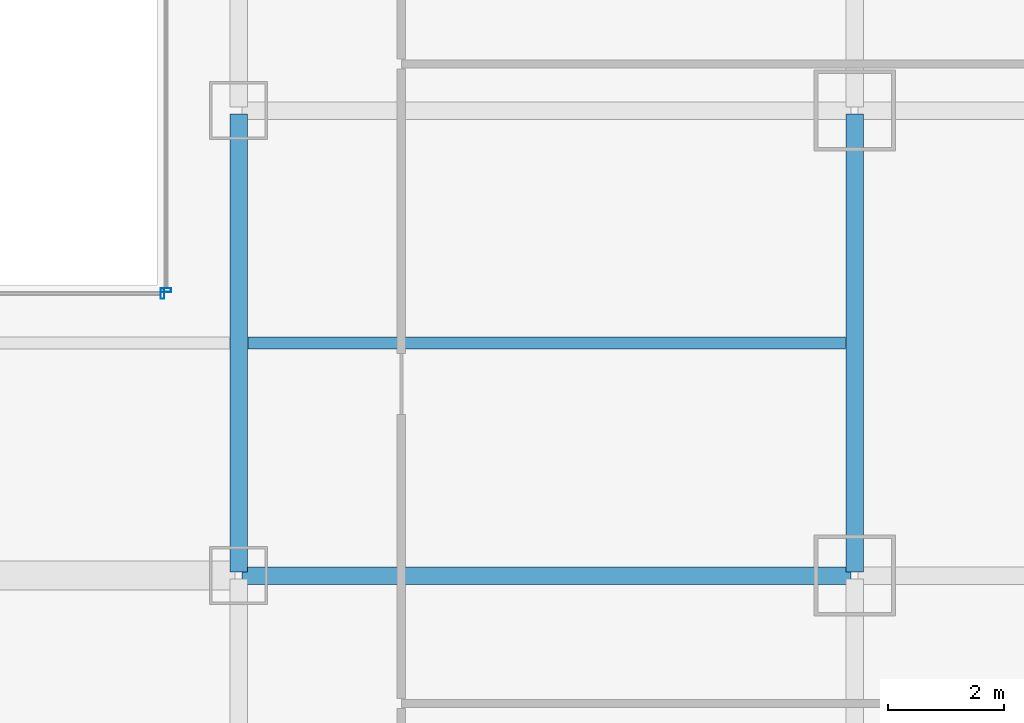
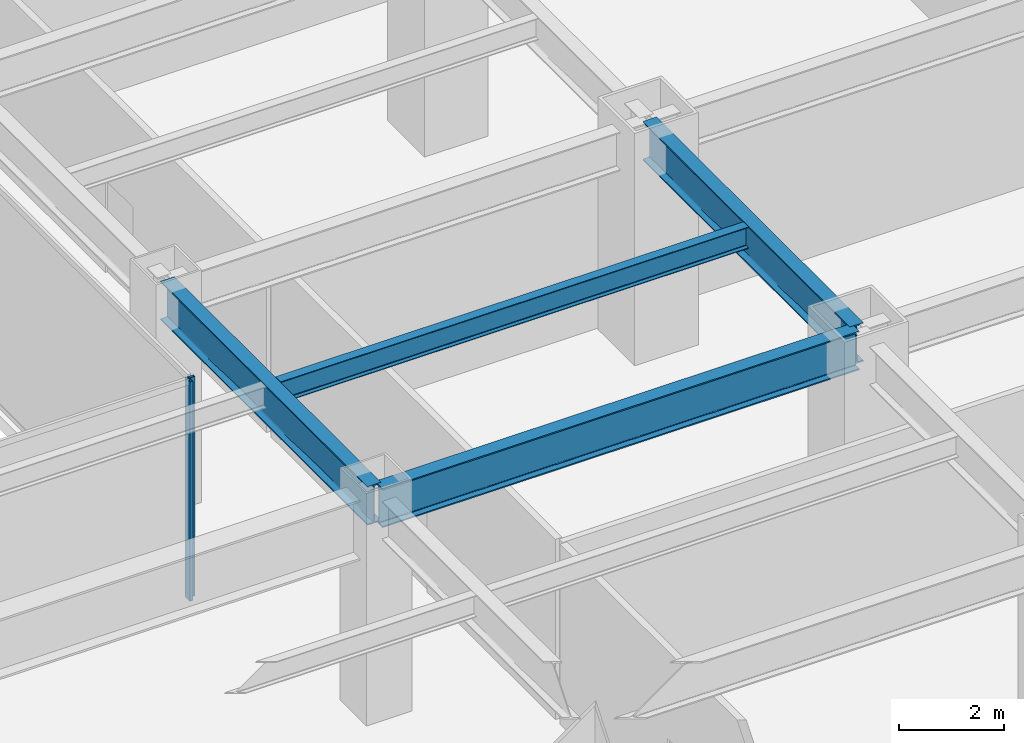
# One storey, part 19 of 52: 4 beams, 2 members, 2 elements without a shape of their own.
"""IFC4 building model written with IfcOpenShell, lengths in metres."""

import ifcopenshell
import ifcopenshell.guid

model = None  # the IFC model being written
_history = None  # IfcOwnerHistory: only IFC2X3 demands one
_inside = {}  # id of a spatial element -> (the spatial element, [elements in it])
_under = {}  # id of a project, library or spatial element -> (it, [spatial elements below it])
_declared = {}  # id of a project -> (the project, [libraries it declares])
_typed = {}  # id of a type object -> (the type object, [elements of that type])
_made_of = {}  # id of a material, layer set ... -> (it, [elements and type objects made of it])


def new_model(schema):
    """Start an empty IFC model of exactly this schema.

    Asked for "IFC4X3", IfcOpenShell would pick the latest addendum, in which some entities
    have other attributes; the version numbers below select the first issue.
    IFC2X3 requires an IfcOwnerHistory on every rooted entity: one is made here for all.
    """
    global model, _history
    if schema == "IFC4X3":
        model = ifcopenshell.file(schema_version=(4, 3, 0, 0))
    else:
        model = ifcopenshell.file(schema=schema)
    _inside.clear()
    _under.clear()
    _declared.clear()
    _typed.clear()
    _made_of.clear()
    _history = None
    if model.schema == "IFC2X3":
        org = make("IfcOrganization", Name="unknown")
        user = make(
            "IfcPersonAndOrganization",
            ThePerson=make("IfcPerson", FamilyName="unknown"),
            TheOrganization=org,
        )
        app = make(
            "IfcApplication",
            ApplicationDeveloper=org,
            Version="unknown",
            ApplicationFullName="unknown",
            ApplicationIdentifier="unknown",
        )
        _history = make(
            "IfcOwnerHistory",
            OwningUser=user,
            OwningApplication=app,
            ChangeAction="ADDED",
            CreationDate=0,
        )
    return model


def make(cls, **values):
    """One entity of the class cls with the attributes given. An attribute that is None is left unset."""
    return model.create_entity(
        cls, **{name: value for name, value in values.items() if value is not None}
    )


def rooted(cls, **values):
    """An entity with a GlobalId (a new one), such as an element, a storey or a relation."""
    return make(cls, GlobalId=ifcopenshell.guid.new(), OwnerHistory=_history, **values)


def si_unit(unit_type, name, prefix=None):
    """IfcSIUnit, for example si_unit("LENGTHUNIT", "METRE", prefix="MILLI")."""
    return make("IfcSIUnit", UnitType=unit_type, Prefix=prefix, Name=name)


def assignment(units):
    """IfcUnitAssignment: the units of a project."""
    return None if units is None else make("IfcUnitAssignment", Units=units)


def point(xyz):
    """IfcCartesianPoint."""
    return None if xyz is None else make("IfcCartesianPoint", Coordinates=xyz)


def direction(xyz):
    """IfcDirection."""
    return None if xyz is None else make("IfcDirection", DirectionRatios=xyz)


def frame(location, z_axis=None, x_axis=None):
    """IfcAxis2Placement3D, a coordinate frame: its origin and axes. An axis left out is left unset."""
    return make(
        "IfcAxis2Placement3D",
        Location=point(location),
        Axis=direction(z_axis),
        RefDirection=direction(x_axis),
    )


def frame_2d(location, x_axis=None):
    """IfcAxis2Placement2D, a coordinate frame in the plane: its origin and x axis."""
    return make(
        "IfcAxis2Placement2D", Location=point(location), RefDirection=direction(x_axis)
    )


def origin():
    """The frame at (0, 0, 0) with its axes left unset."""
    return frame((0.0, 0.0, 0.0))


def origin_2d():
    """The frame at (0, 0) in the plane with its x axis left unset."""
    return frame_2d((0.0, 0.0))


def place(relative_to, where):
    """IfcLocalPlacement: puts the frame where relative to a parent placement (None: the world)."""
    return make(
        "IfcLocalPlacement", PlacementRelTo=relative_to, RelativePlacement=where
    )


def context(
    kind, dimensions, precision=None, world=None, true_north=None, identifier=None
):
    """IfcGeometricRepresentationContext, for example the 3D "Model" context."""
    return make(
        "IfcGeometricRepresentationContext",
        ContextIdentifier=identifier,
        ContextType=kind,
        CoordinateSpaceDimension=dimensions,
        Precision=precision,
        WorldCoordinateSystem=world,
        TrueNorth=true_north,
    )


def subcontext(parent, identifier, kind, view, scale=None):
    """IfcGeometricRepresentationSubContext, for example "Body" below "Model"."""
    return make(
        "IfcGeometricRepresentationSubContext",
        ContextIdentifier=identifier,
        ContextType=kind,
        ParentContext=parent,
        TargetScale=scale,
        TargetView=view,
    )


def project(units=None, contexts=None):
    """IfcProject with its units and contexts."""
    return rooted(
        "IfcProject",
        Name="project",
        RepresentationContexts=contexts,
        UnitsInContext=assignment(units),
    )


def spatial(cls, under=None, at=None, **own):
    """A site, building, storey or space (cls), placed at a placement, below another one or the project."""
    s = rooted(cls, ObjectPlacement=at, **own)
    if under is not None:
        _under.setdefault(under.id(), (under, []))[1].append(s)
    return s


def profile(cls, at=None, kind="AREA", **sizes):
    """A parametric profile (cls). Its sizes go by their IFC names, for example OverallWidth=200.0."""
    return make(cls, ProfileType=kind, Position=at, **sizes)


def hollow_rectangle(**sizes):
    """IfcRectangleHollowProfileDef."""
    return profile("IfcRectangleHollowProfileDef", **sizes)


def i_section(**sizes):
    """IfcIShapeProfileDef."""
    return profile("IfcIShapeProfileDef", **sizes)


def extrude(swept, where, along, depth):
    """IfcExtrudedAreaSolid: the profile swept, set in the frame where, extruded along a direction by depth."""
    return make(
        "IfcExtrudedAreaSolid",
        SweptArea=swept,
        Position=where,
        ExtrudedDirection=direction(along),
        Depth=depth,
    )


def shape(context_of_items, identifier, shape_type, items):
    """IfcShapeRepresentation: the items that make up one representation, for example the "Body"."""
    return make(
        "IfcShapeRepresentation",
        ContextOfItems=context_of_items,
        RepresentationIdentifier=identifier,
        RepresentationType=shape_type,
        Items=items,
    )


def material(Name=None, Category=None):
    """IfcMaterial."""
    return make("IfcMaterial", Name=Name, Category=Category)


def material_profile(
    of_material, cross_section, Name=None, Category=None, Priority=None
):
    """IfcMaterialProfile: a cross section and its material."""
    return make(
        "IfcMaterialProfile",
        Name=Name,
        Material=of_material,
        Profile=cross_section,
        Priority=Priority,
        Category=Category,
    )


def profile_set(profiles, Name=None, composite=None):
    """IfcMaterialProfileSet."""
    return make(
        "IfcMaterialProfileSet",
        Name=Name,
        MaterialProfiles=profiles,
        CompositeProfile=composite,
    )


def made_of(thing, what):
    """Note that an element or type object is made of a material, layer set ...; save() writes the relation."""
    if what is not None:
        _made_of.setdefault(what.id(), (what, []))[1].append(thing)
    return thing


def type_object(cls, material=None, **own):
    """A type object (cls), such as IfcWallType, which elements share."""
    return made_of(rooted(cls, **own), material)


def element(
    cls,
    number,
    at=None,
    inside=None,
    cuts=None,
    type_object=None,
    material=None,
    context=None,
    identifier="Body",
    shape_type=None,
    held_by="IfcProductDefinitionShape",
    body=None,
    shapes=None,
    **own,
):
    """One element of the class cls, such as IfcWall. Its Tag is "e" and its number.

    at: its placement. inside: the storey or other place that contains it. cuts: it is an
    opening in that element (IfcRelVoidsElement). A single representation is given by context,
    identifier, shape_type and body (its items); several are given by shapes. held_by: the class
    of the entity that holds the representations. save() writes the other relations.
    """
    e = rooted(cls, Tag="e%d" % number, ObjectPlacement=at, **own)
    if body is not None:
        shapes = [shape(context, identifier, shape_type, body)]
    if shapes is not None:
        e.Representation = make(held_by, Representations=shapes)
    if inside is not None:
        _inside.setdefault(inside.id(), (inside, []))[1].append(e)
    if cuts is not None:
        rooted(
            "IfcRelVoidsElement", RelatingBuildingElement=cuts, RelatedOpeningElement=e
        )
    if type_object is not None:
        _typed.setdefault(type_object.id(), (type_object, []))[1].append(e)
    return made_of(e, material)


def aggregate(whole, parts):
    """IfcRelAggregates: a whole, such as a stair, and the parts it consists of."""
    return rooted("IfcRelAggregates", RelatingObject=whole, RelatedObjects=parts)


def save(model, path):
    """Write the relations noted so far, then the file.

    IfcRelAggregates (storeys below a building ...), IfcRelContainedInSpatialStructure (elements
    in a storey), IfcRelDefinesByType, IfcRelAssociatesMaterial and IfcRelDeclares: one each for
    every whole, place, type object, material and project.
    """
    for whole, parts in _under.values():
        aggregate(whole, parts)
    for where, things in _inside.values():
        rooted(
            "IfcRelContainedInSpatialStructure",
            RelatedElements=things,
            RelatingStructure=where,
        )
    for kind, things in _typed.values():
        rooted("IfcRelDefinesByType", RelatedObjects=things, RelatingType=kind)
    for what, things in _made_of.values():
        rooted("IfcRelAssociatesMaterial", RelatedObjects=things, RelatingMaterial=what)
    for by, libraries in _declared.values():
        rooted("IfcRelDeclares", RelatingContext=by, RelatedDefinitions=libraries)
    model.write(path)


model = new_model("IFC4")

# Units and contexts
model_context = context("Model", 3, precision=1e-05, world=origin(), true_north=direction((0.0, 1.0)))
body_context = subcontext(model_context, "Body", "Model", "MODEL_VIEW")
ifc_project = project(units=[si_unit("LENGTHUNIT", "METRE"), si_unit("AREAUNIT", "SQUARE_METRE"), si_unit("VOLUMEUNIT", "CUBIC_METRE"), si_unit("PLANEANGLEUNIT", "RADIAN"), si_unit("MASSUNIT", "GRAM", prefix="KILO")], contexts=[model_context])

# Site, building, storey
site_placement = place(None, origin())
site = spatial("IfcSite", under=ifc_project, at=site_placement, CompositionType="ELEMENT")
building_placement = place(site_placement, origin())
building = spatial("IfcBuilding", under=site, at=building_placement, Name="Saevonmaru Cultural Tower", CompositionType="ELEMENT")
storey_placement = place(building_placement, frame((0.0, 0.0, 16.800048828125)))
storey = spatial("IfcBuildingStorey", under=building, at=storey_placement, Name="L03", CompositionType="ELEMENT", Elevation=16.800048828125)

# Beams
ifc_material_1 = material(Name="Steel SM420", Category="steel")
ifc_material_profile_1 = material_profile(ifc_material_1, i_section(OverallWidth=0.300048828125, OverallDepth=0.89990234375, WebThickness=0.01611328125, FlangeThickness=0.028076171875, FilletRadius=0.028076171875, at=origin_2d()), Name="H-900x300x16x28")
ifc_profile_set_1 = profile_set([ifc_material_profile_1], Name="Steel SM420")
beam_type_1 = type_object("IfcBeamType", Name="BM-G-H900", PredefinedType="BEAM", material=ifc_profile_set_1)
for number, where, z_axis, x_axis, name in (
    (1, (37.199951171875, 16.06005859375, 4.64990234375), (0.0, 1.0, 0.0), (-1.0, 0.0, 0.0), "L03 Podium Girder NS3-3"),
    (2, (47.800048828125, 16.06005859375, 4.64990234375), (0.0, 1.0, 0.0), (-1.0, 0.0, 0.0), "L03 Podium Girder NS4-3"),
):
    element("IfcBeam", number, at=place(storey_placement, frame(where, z_axis=z_axis, x_axis=x_axis)), inside=storey, type_object=beam_type_1, Name=name, PredefinedType="BEAM", context=body_context, shape_type="SweptSolid", body=[
        extrude(i_section(OverallWidth=0.300048828125, OverallDepth=0.89990234375, WebThickness=0.01611328125, FlangeThickness=0.028076171875, FilletRadius=0.028076171875, at=origin_2d()), origin(), (0.0, 0.0, 1.0), 7.8798828125),
    ])
beam_1_placement = place(storey_placement, frame((37.260009765625, 16.0, 4.64990234375), z_axis=(1.0, 0.0, 0.0), x_axis=(0.0, 1.0, 0.0)))
element("IfcBeam", 3, at=beam_1_placement, inside=storey, type_object=beam_type_1, Name="L03 Gallery Girder E-2", PredefinedType="BEAM", context=body_context, shape_type="SweptSolid", body=[
    extrude(i_section(OverallWidth=0.300048828125, OverallDepth=0.89990234375, WebThickness=0.01611328125, FlangeThickness=0.028076171875, FilletRadius=0.028076171875, at=origin_2d()), origin(), (0.0, 0.0, 1.0), 10.47998046875),
])
ifc_material_2 = material(Name="Steel SM355", Category="steel")
ifc_material_profile_2 = material_profile(ifc_material_2, i_section(OverallWidth=0.199951171875, OverallDepth=0.5, WebThickness=0.010009765625, FlangeThickness=0.01611328125, FilletRadius=0.02001953125, at=origin_2d()), Name="H-500x200x10x16")
ifc_profile_set_2 = profile_set([ifc_material_profile_2], Name="Steel SM355")
beam_type_2 = type_object("IfcBeamType", Name="BM-J-H500", PredefinedType="JOIST", material=ifc_profile_set_2)
beam_2_placement = place(storey_placement, frame((37.35791015625, 20.0, 4.849853515625), z_axis=(1.0, 0.0, 0.0), x_axis=(0.0, 1.0, 0.0)))
element("IfcBeam", 4, at=beam_2_placement, inside=storey, type_object=beam_type_2, Name="L03 Secondary Floor Joist JE-2", PredefinedType="JOIST", context=body_context, shape_type="SweptSolid", body=[
    extrude(i_section(OverallWidth=0.199951171875, OverallDepth=0.5, WebThickness=0.010009765625, FlangeThickness=0.01611328125, FilletRadius=0.02001953125, at=origin_2d()), origin(), (0.0, 0.0, 1.0), 10.2841796875),
])

# Curtain wall, member
ifc_material_3 = material(Name="Satin Bronze Anodised Aluminium", Category="aluminium")
curtain_wall_type = type_object("IfcCurtainWallType", Name="CW-ATR-GLZ", PredefinedType="NOTDEFINED", material=ifc_material_3)
curtain_wall_1_placement = place(storey_placement, origin())
curtain_wall_1 = element("IfcCurtainWall", 5, at=curtain_wall_1_placement, inside=storey, type_object=curtain_wall_type, Name="L03 Vertical Atrium Glazed Smoke Screen 1", PredefinedType="NOTDEFINED")
ifc_material_profile_3 = material_profile(ifc_material_3, hollow_rectangle(XDim=0.06494140625, YDim=0.179931640625, WallThickness=0.00390625, at=origin_2d()), Name="ALU-MULL-180x65x4")
ifc_profile_set_3 = profile_set([ifc_material_profile_3], Name="Satin Bronze Anodised Aluminium")
member_type = type_object("IfcMemberType", Name="ML-CW-INT-180x65", PredefinedType="MULLION", material=ifc_profile_set_3)
member_1_placement = place(storey_placement, frame((35.889892578125, 20.85009765625, 0.0), z_axis=(0.0, 0.0, 1.0), x_axis=(1.0, 0.0, 0.0)))
member_1 = element("IfcMember", 6, at=member_1_placement, type_object=member_type, Name="CW-ATR-L03-1 mullion 2", PredefinedType="MULLION", context=body_context, shape_type="SweptSolid", body=[
    extrude(hollow_rectangle(XDim=0.06494140625, YDim=0.179931640625, WallThickness=0.00390625, at=origin_2d()), origin(), (0.0, 0.0, 1.0), 5.099853515625),
])
aggregate(curtain_wall_1, [member_1])

curtain_wall_2_placement = place(storey_placement, origin())
curtain_wall_2 = element("IfcCurtainWall", 7, at=curtain_wall_2_placement, inside=storey, type_object=curtain_wall_type, Name="L03 Vertical Atrium Glazed Smoke Screen 2", PredefinedType="NOTDEFINED")
member_2_placement = place(storey_placement, frame((35.949951171875, 20.909912109375, 0.0), z_axis=(0.0, 0.0, 1.0), x_axis=(0.0, 1.0, 0.0)))
member_2 = element("IfcMember", 8, at=member_2_placement, type_object=member_type, Name="CW-ATR-L03-2 mullion 1", PredefinedType="MULLION", context=body_context, shape_type="SweptSolid", body=[
    extrude(hollow_rectangle(XDim=0.06494140625, YDim=0.179931640625, WallThickness=0.00390625, at=origin_2d()), origin(), (0.0, 0.0, 1.0), 5.099853515625),
])
aggregate(curtain_wall_2, [member_2])

save(model, "model.ifc")
